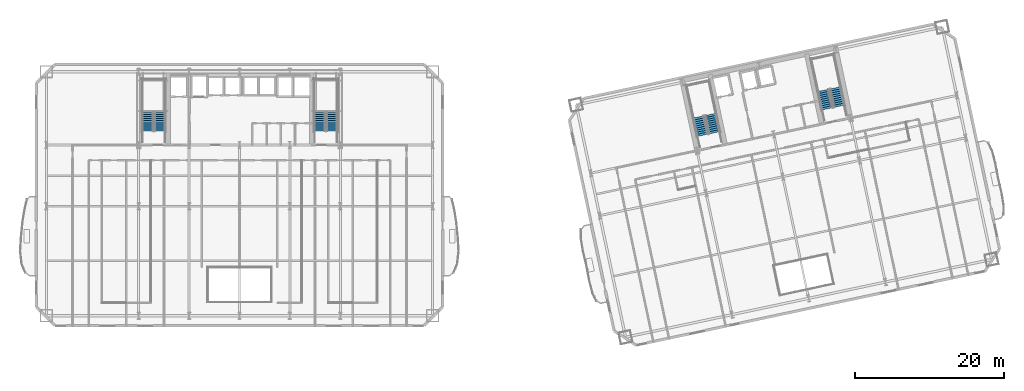
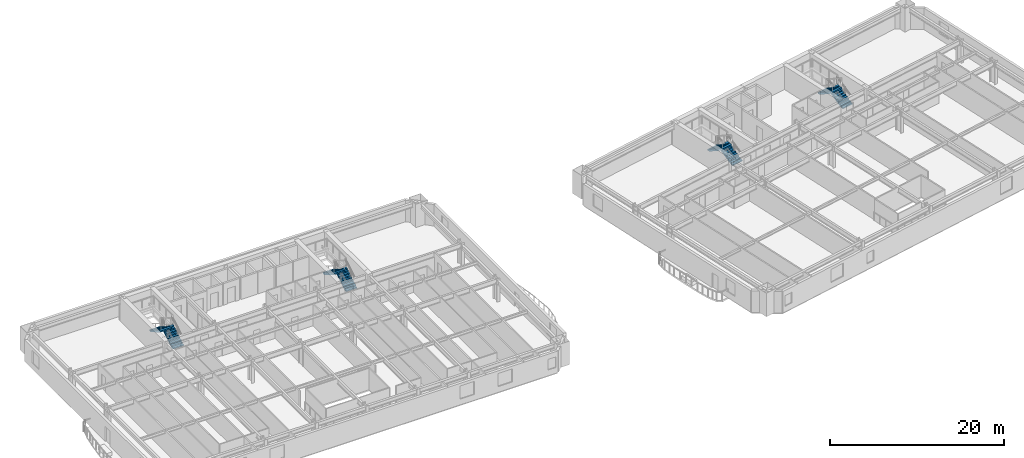
# One storey, part 10 of 17: 8 stair flights, 4 elements without a shape of their own.
"""IFC4 building model written with IfcOpenShell, lengths in metres."""

from ifc_helpers import new_model, si_unit, direction, frame, origin, place, context, subcontext, project, spatial, polyline, outline, extrude, material, type_object, element, aggregate, save


model = new_model("IFC4")

# Units and contexts
model_context = context("Model", 3, precision=1e-05, world=origin(), true_north=direction((0.0, 1.0)))
body_context = subcontext(model_context, "Body", "Model", "MODEL_VIEW")
ifc_project = project(units=[si_unit("LENGTHUNIT", "METRE"), si_unit("AREAUNIT", "SQUARE_METRE"), si_unit("VOLUMEUNIT", "CUBIC_METRE"), si_unit("PLANEANGLEUNIT", "RADIAN"), si_unit("MASSUNIT", "GRAM", prefix="KILO")], contexts=[model_context])

# Site, building, storey
site_placement = place(None, origin())
site = spatial("IfcSite", under=ifc_project, at=site_placement, CompositionType="ELEMENT")
building_placement = place(site_placement, origin())
building = spatial("IfcBuilding", under=site, at=building_placement, Name="Haevon Station Towers", CompositionType="ELEMENT")
storey_placement = place(building_placement, frame((0.0, 0.0, 37.199951171875)))
storey = spatial("IfcBuildingStorey", under=building, at=storey_placement, Name="L08", CompositionType="ELEMENT", Elevation=37.199951171875)

# Stair, stair flights
ifc_material = material(Name="Concrete C40/50", Category="concrete")
stair_type = type_object("IfcStairType", Name="STR-DL1450", PredefinedType="USERDEFINED", material=ifc_material)
stair_1_placement = place(storey_placement, origin())
stair_1 = element("IfcStair", 1, at=stair_1_placement, inside=storey, type_object=stair_type, Name="L08 Escape Stair ST1", ObjectType="TWO_RETURN_STAIR", PredefinedType="USERDEFINED")
stair_flight_type = type_object("IfcStairFlightType", Name="STF-ST1450", PredefinedType="STRAIGHT", material=ifc_material)
stair_flight_1_placement = place(storey_placement, frame((26.85498046875, 40.050048828125, 0.0), z_axis=(0.0, 0.0, 1.0), x_axis=(0.0, 1.0, 0.0)))
stair_flight_1 = element("IfcStairFlight", 2, at=stair_flight_1_placement, type_object=stair_flight_type, Name="L08 ST1 Flight 1", NumberOfRisers=10, NumberOfTreads=9, PredefinedType="STRAIGHT", RiserHeight=0.165, TreadLength=0.28, context=body_context, shape_type="SweptSolid", body=[
    extrude(outline(polyline([(0.0, 0.0), (0.0, 0.1650390625), (0.280029296875, 0.1650390625), (0.280029296875, 0.330078125), (0.56005859375, 0.330078125), (0.56005859375, 0.4951171875), (0.840087890625, 0.4951171875), (0.840087890625, 0.659912109375), (1.1201171875, 0.659912109375), (1.1201171875, 0.824951171875), (1.39990234375, 0.824951171875), (1.39990234375, 0.989990234375), (1.679931640625, 0.989990234375), (1.679931640625, 1.155029296875), (1.9599609375, 1.155029296875), (1.9599609375, 1.320068359375), (2.239990234375, 1.320068359375), (2.239990234375, 1.485107421875), (2.52001953125, 1.485107421875), (2.52001953125, 1.64990234375), (2.52001953125, 1.29931640625), (0.31494140625, 0.0), (0.0, 0.0)])), frame((0.0, 0.72509765625, 0.0), z_axis=(0.0, -1.0, 0.0), x_axis=(1.0, 0.0, 0.0)), (0.0, 0.0, 1.0), 1.449951171875),
])
stair_flight_2_placement = place(storey_placement, frame((25.205078125, 42.570068359375, 1.650146484375), z_axis=(0.0, 0.0, 1.0), x_axis=(0.0, -1.0, 0.0)))
stair_flight_2 = element("IfcStairFlight", 3, at=stair_flight_2_placement, type_object=stair_flight_type, Name="L08 ST1 Flight 2", NumberOfRisers=10, NumberOfTreads=9, PredefinedType="STRAIGHT", RiserHeight=0.165, TreadLength=0.28, context=body_context, shape_type="SweptSolid", body=[
    extrude(outline(polyline([(0.0, 0.0), (0.0, 0.1650390625), (0.280029296875, 0.1650390625), (0.280029296875, 0.330078125), (0.56005859375, 0.330078125), (0.56005859375, 0.4951171875), (0.840087890625, 0.4951171875), (0.840087890625, 0.659912109375), (1.1201171875, 0.659912109375), (1.1201171875, 0.824951171875), (1.39990234375, 0.824951171875), (1.39990234375, 0.989990234375), (1.679931640625, 0.989990234375), (1.679931640625, 1.155029296875), (1.9599609375, 1.155029296875), (1.9599609375, 1.320068359375), (2.239990234375, 1.320068359375), (2.239990234375, 1.485107421875), (2.52001953125, 1.485107421875), (2.52001953125, 1.64990234375), (2.52001953125, 1.29931640625), (0.31494140625, 0.0), (0.0, 0.0)])), frame((0.0, 0.72509765625, 0.0), z_axis=(0.0, -1.0, 0.0), x_axis=(1.0, 0.0, 0.0)), (0.0, 0.0, 1.0), 1.449951171875),
])
aggregate(stair_1, [stair_flight_1, stair_flight_2])

stair_2_placement = place(storey_placement, origin())
stair_2 = element("IfcStair", 4, at=stair_2_placement, inside=storey, type_object=stair_type, Name="L08 Escape Stair ST2", ObjectType="TWO_RETURN_STAIR", PredefinedType="USERDEFINED")
stair_flight_3_placement = place(storey_placement, frame((49.89501953125, 40.050048828125, 0.0), z_axis=(0.0, 0.0, 1.0), x_axis=(0.0, 1.0, 0.0)))
stair_flight_3 = element("IfcStairFlight", 5, at=stair_flight_3_placement, type_object=stair_flight_type, Name="L08 ST2 Flight 1", NumberOfRisers=10, NumberOfTreads=9, PredefinedType="STRAIGHT", RiserHeight=0.165, TreadLength=0.28, context=body_context, shape_type="SweptSolid", body=[
    extrude(outline(polyline([(0.0, 0.0), (0.0, 0.1650390625), (0.280029296875, 0.1650390625), (0.280029296875, 0.330078125), (0.56005859375, 0.330078125), (0.56005859375, 0.4951171875), (0.840087890625, 0.4951171875), (0.840087890625, 0.659912109375), (1.1201171875, 0.659912109375), (1.1201171875, 0.824951171875), (1.39990234375, 0.824951171875), (1.39990234375, 0.989990234375), (1.679931640625, 0.989990234375), (1.679931640625, 1.155029296875), (1.9599609375, 1.155029296875), (1.9599609375, 1.320068359375), (2.239990234375, 1.320068359375), (2.239990234375, 1.485107421875), (2.52001953125, 1.485107421875), (2.52001953125, 1.64990234375), (2.52001953125, 1.29931640625), (0.31494140625, 0.0), (0.0, 0.0)])), frame((0.0, 0.72509765625, 0.0), z_axis=(0.0, -1.0, 0.0), x_axis=(1.0, 0.0, 0.0)), (0.0, 0.0, 1.0), 1.449951171875),
])
stair_flight_4_placement = place(storey_placement, frame((48.2451171875, 42.570068359375, 1.650146484375), z_axis=(0.0, 0.0, 1.0), x_axis=(0.0, -1.0, 0.0)))
stair_flight_4 = element("IfcStairFlight", 6, at=stair_flight_4_placement, type_object=stair_flight_type, Name="L08 ST2 Flight 2", NumberOfRisers=10, NumberOfTreads=9, PredefinedType="STRAIGHT", RiserHeight=0.165, TreadLength=0.28, context=body_context, shape_type="SweptSolid", body=[
    extrude(outline(polyline([(0.0, 0.0), (0.0, 0.1650390625), (0.280029296875, 0.1650390625), (0.280029296875, 0.330078125), (0.56005859375, 0.330078125), (0.56005859375, 0.4951171875), (0.840087890625, 0.4951171875), (0.840087890625, 0.659912109375), (1.1201171875, 0.659912109375), (1.1201171875, 0.824951171875), (1.39990234375, 0.824951171875), (1.39990234375, 0.989990234375), (1.679931640625, 0.989990234375), (1.679931640625, 1.155029296875), (1.9599609375, 1.155029296875), (1.9599609375, 1.320068359375), (2.239990234375, 1.320068359375), (2.239990234375, 1.485107421875), (2.52001953125, 1.485107421875), (2.52001953125, 1.64990234375), (2.52001953125, 1.29931640625), (0.31494140625, 0.0), (0.0, 0.0)])), frame((0.0, 0.72509765625, 0.0), z_axis=(0.0, -1.0, 0.0), x_axis=(1.0, 0.0, 0.0)), (0.0, 0.0, 1.0), 1.449951171875),
])
aggregate(stair_2, [stair_flight_3, stair_flight_4])

stair_3_placement = place(storey_placement, origin())
stair_3 = element("IfcStair", 7, at=stair_3_placement, inside=storey, type_object=stair_type, Name="L08 Escape Stair ST3", ObjectType="TWO_RETURN_STAIR", PredefinedType="USERDEFINED")
stair_flight_5_placement = place(storey_placement, frame((101.1015625, 39.8330078125, 0.0), z_axis=(0.0, 0.0, 1.0), x_axis=(-0.207911690818, 0.978147600734, 0.0)))
stair_flight_5 = element("IfcStairFlight", 8, at=stair_flight_5_placement, type_object=stair_flight_type, Name="L08 ST3 Flight 1", NumberOfRisers=10, NumberOfTreads=9, PredefinedType="STRAIGHT", RiserHeight=0.165, TreadLength=0.28, context=body_context, shape_type="SweptSolid", body=[
    extrude(outline(polyline([(0.0, 0.0), (0.0, 0.1650390625), (0.280029296875, 0.1650390625), (0.280029296875, 0.330078125), (0.56005859375, 0.330078125), (0.56005859375, 0.4951171875), (0.840087890625, 0.4951171875), (0.840087890625, 0.659912109375), (1.1201171875, 0.659912109375), (1.1201171875, 0.824951171875), (1.39990234375, 0.824951171875), (1.39990234375, 0.989990234375), (1.679931640625, 0.989990234375), (1.679931640625, 1.155029296875), (1.9599609375, 1.155029296875), (1.9599609375, 1.320068359375), (2.239990234375, 1.320068359375), (2.239990234375, 1.485107421875), (2.52001953125, 1.485107421875), (2.52001953125, 1.64990234375), (2.52001953125, 1.29931640625), (0.31494140625, 0.0), (0.0, 0.0)])), frame((0.0, 0.72509765625, 0.0), z_axis=(0.0, -1.0, 0.0), x_axis=(1.0, 0.0, 0.0)), (0.0, 0.0, 1.0), 1.449951171875),
])
stair_flight_6_placement = place(storey_placement, frame((98.9638671875, 41.955078125, 1.650146484375), z_axis=(0.0, 0.0, 1.0), x_axis=(0.207911690818, -0.978147600734, 0.0)))
stair_flight_6 = element("IfcStairFlight", 9, at=stair_flight_6_placement, type_object=stair_flight_type, Name="L08 ST3 Flight 2", NumberOfRisers=10, NumberOfTreads=9, PredefinedType="STRAIGHT", RiserHeight=0.165, TreadLength=0.28, context=body_context, shape_type="SweptSolid", body=[
    extrude(outline(polyline([(0.0, 0.0), (0.0, 0.1650390625), (0.280029296875, 0.1650390625), (0.280029296875, 0.330078125), (0.56005859375, 0.330078125), (0.56005859375, 0.4951171875), (0.840087890625, 0.4951171875), (0.840087890625, 0.659912109375), (1.1201171875, 0.659912109375), (1.1201171875, 0.824951171875), (1.39990234375, 0.824951171875), (1.39990234375, 0.989990234375), (1.679931640625, 0.989990234375), (1.679931640625, 1.155029296875), (1.9599609375, 1.155029296875), (1.9599609375, 1.320068359375), (2.239990234375, 1.320068359375), (2.239990234375, 1.485107421875), (2.52001953125, 1.485107421875), (2.52001953125, 1.64990234375), (2.52001953125, 1.29931640625), (0.31494140625, 0.0), (0.0, 0.0)])), frame((0.0, 0.72509765625, 0.0), z_axis=(0.0, -1.0, 0.0), x_axis=(1.0, 0.0, 0.0)), (0.0, 0.0, 1.0), 1.449951171875),
])
aggregate(stair_3, [stair_flight_5, stair_flight_6])

stair_4_placement = place(storey_placement, origin())
stair_4 = element("IfcStair", 10, at=stair_4_placement, inside=storey, type_object=stair_type, Name="L08 Escape Stair ST4", ObjectType="TWO_RETURN_STAIR", PredefinedType="USERDEFINED")
stair_flight_7_placement = place(storey_placement, frame((117.788818359375, 43.380126953125, 0.0), z_axis=(0.0, 0.0, 1.0), x_axis=(-0.207911690818, 0.978147600734, 0.0)))
stair_flight_7 = element("IfcStairFlight", 11, at=stair_flight_7_placement, type_object=stair_flight_type, Name="L08 ST4 Flight 1", NumberOfRisers=10, NumberOfTreads=9, PredefinedType="STRAIGHT", RiserHeight=0.165, TreadLength=0.28, context=body_context, shape_type="SweptSolid", body=[
    extrude(outline(polyline([(0.0, 0.0), (0.0, 0.1650390625), (0.280029296875, 0.1650390625), (0.280029296875, 0.330078125), (0.56005859375, 0.330078125), (0.56005859375, 0.4951171875), (0.840087890625, 0.4951171875), (0.840087890625, 0.659912109375), (1.1201171875, 0.659912109375), (1.1201171875, 0.824951171875), (1.39990234375, 0.824951171875), (1.39990234375, 0.989990234375), (1.679931640625, 0.989990234375), (1.679931640625, 1.155029296875), (1.9599609375, 1.155029296875), (1.9599609375, 1.320068359375), (2.239990234375, 1.320068359375), (2.239990234375, 1.485107421875), (2.52001953125, 1.485107421875), (2.52001953125, 1.64990234375), (2.52001953125, 1.29931640625), (0.31494140625, 0.0), (0.0, 0.0)])), frame((0.0, 0.72509765625, 0.0), z_axis=(0.0, -1.0, 0.0), x_axis=(1.0, 0.0, 0.0)), (0.0, 0.0, 1.0), 1.449951171875),
])
stair_flight_8_placement = place(storey_placement, frame((115.65087890625, 45.501953125, 1.650146484375), z_axis=(0.0, 0.0, 1.0), x_axis=(0.207911690818, -0.978147600734, 0.0)))
stair_flight_8 = element("IfcStairFlight", 12, at=stair_flight_8_placement, type_object=stair_flight_type, Name="L08 ST4 Flight 2", NumberOfRisers=10, NumberOfTreads=9, PredefinedType="STRAIGHT", RiserHeight=0.165, TreadLength=0.28, context=body_context, shape_type="SweptSolid", body=[
    extrude(outline(polyline([(0.0, 0.0), (0.0, 0.1650390625), (0.280029296875, 0.1650390625), (0.280029296875, 0.330078125), (0.56005859375, 0.330078125), (0.56005859375, 0.4951171875), (0.840087890625, 0.4951171875), (0.840087890625, 0.659912109375), (1.1201171875, 0.659912109375), (1.1201171875, 0.824951171875), (1.39990234375, 0.824951171875), (1.39990234375, 0.989990234375), (1.679931640625, 0.989990234375), (1.679931640625, 1.155029296875), (1.9599609375, 1.155029296875), (1.9599609375, 1.320068359375), (2.239990234375, 1.320068359375), (2.239990234375, 1.485107421875), (2.52001953125, 1.485107421875), (2.52001953125, 1.64990234375), (2.52001953125, 1.29931640625), (0.31494140625, 0.0), (0.0, 0.0)])), frame((0.0, 0.72509765625, 0.0), z_axis=(0.0, -1.0, 0.0), x_axis=(1.0, 0.0, 0.0)), (0.0, 0.0, 1.0), 1.449951171875),
])
aggregate(stair_4, [stair_flight_7, stair_flight_8])

save(model, "model.ifc")
